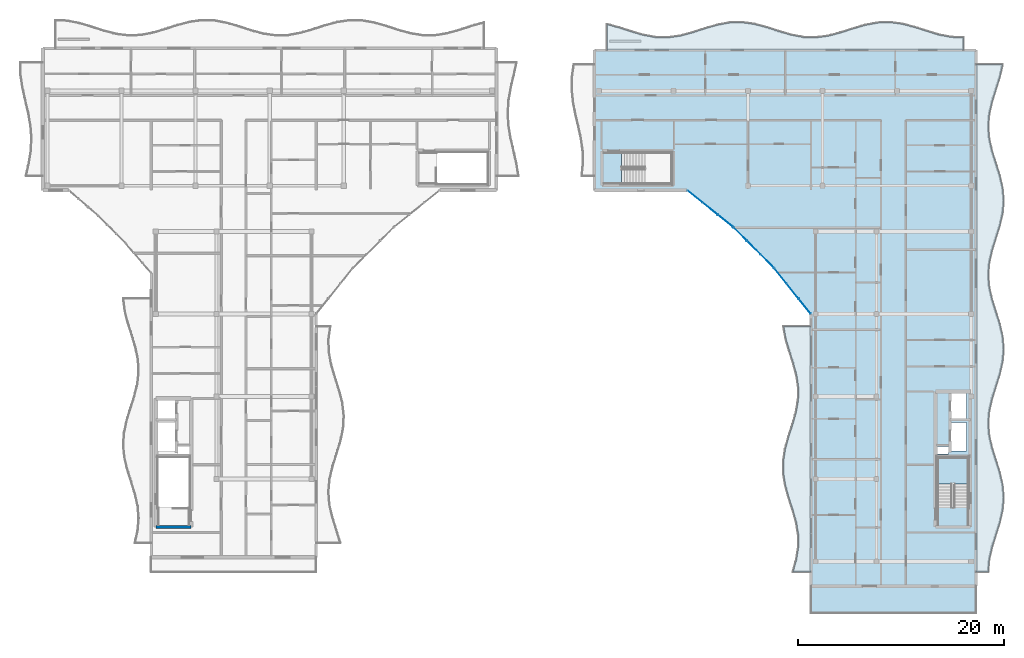
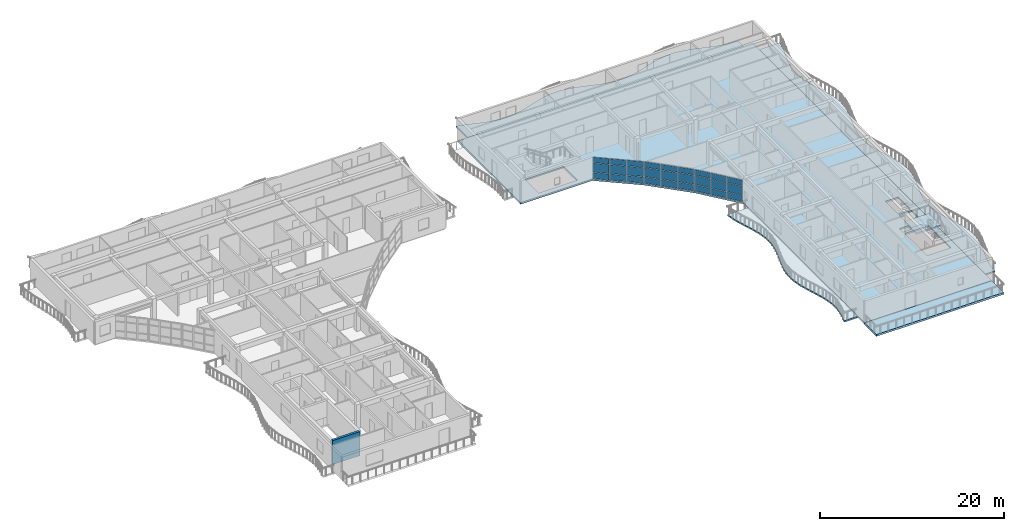
# One storey, part 14 of 30: 27 plates, 6 slabs, 1 wall, 4 elements without a shape of their own.
"""IFC4 building model written with IfcOpenShell, lengths in metres."""

from ifc_helpers import new_model, si_unit, direction, frame, frame_2d, origin, origin_2d, place, context, subcontext, project, spatial, polyline, rectangle, outline, extrude, material, layer, layer_set, type_object, element, aggregate, save


model = new_model("IFC4")

# Units and contexts
model_context = context("Model", 3, precision=1e-05, world=origin(), true_north=direction((0.0, 1.0)))
body_context = subcontext(model_context, "Body", "Model", "MODEL_VIEW")
ifc_project = project(units=[si_unit("LENGTHUNIT", "METRE"), si_unit("AREAUNIT", "SQUARE_METRE"), si_unit("VOLUMEUNIT", "CUBIC_METRE"), si_unit("PLANEANGLEUNIT", "RADIAN"), si_unit("MASSUNIT", "GRAM", prefix="KILO")], contexts=[model_context])

# Site, building, storey
site_placement = place(None, origin())
site = spatial("IfcSite", under=ifc_project, at=site_placement, CompositionType="ELEMENT")
building_placement = place(site_placement, origin())
building = spatial("IfcBuilding", under=site, at=building_placement, Name="Keldmere Railside Commons", CompositionType="ELEMENT")
storey_placement = place(building_placement, frame((0.0, 0.0, 36.159912109375)))
storey = spatial("IfcBuildingStorey", under=building, at=storey_placement, Name="L11", CompositionType="ELEMENT", Elevation=36.159912109375)

# Curtain wall, plates
ifc_material_1 = material(Name="Thermally Broken Aluminium", Category="aluminium")
ifc_layer_1 = layer(ifc_material_1, 0.159912109375, Name="Court Chord Wintergarden CW 5400x2850")
ifc_layer_set_1 = layer_set([ifc_layer_1], Name="Thermally Broken Aluminium")
curtain_wall_type_1 = type_object("IfcCurtainWallType", Name="Court Chord Wintergarden CW 5400x2850", PredefinedType="NOTDEFINED", material=ifc_layer_set_1)
curtain_wall_1_placement = place(storey_placement, origin())
curtain_wall_1 = element("IfcCurtainWall", 1, at=curtain_wall_1_placement, inside=storey, type_object=curtain_wall_type_1, Name="CW-13 CW-L11-190", PredefinedType="NOTDEFINED")
ifc_material_2 = material(Name="Low-E Insulated Double Glazing", Category="glass")
ifc_layer_2 = layer(ifc_material_2, 0.033935546875, Name="Acoustic Laminated Vision Panel 34")
ifc_layer_set_2 = layer_set([ifc_layer_2], Name="Low-E Insulated Double Glazing")
plate_type_1 = type_object("IfcPlateType", Name="Acoustic Laminated Vision Panel 34", PredefinedType="CURTAIN_PANEL", material=ifc_layer_set_2)
plate_1_placement = place(storey_placement, frame((159.678955078125, 97.048583984375, 0.06494140625), z_axis=(0.0, 0.0, 1.0), x_axis=(-0.780009172323, 0.625768080915, 0.0)))
plate_1 = element("IfcPlate", 2, at=plate_1_placement, type_object=plate_type_1, Name="CW-13 panel 1.1", PredefinedType="CURTAIN_PANEL", context=body_context, shape_type="SweptSolid", body=[
    extrude(rectangle(XDim=1.795654296875, YDim=0.033935546875, at=origin_2d()), origin(), (0.0, 0.0, 1.0), 0.802490234375),
])
plate_2_placement = place(storey_placement, frame((159.678955078125, 97.048583984375, 0.9326171875), z_axis=(0.0, 0.0, 1.0), x_axis=(-0.780009172323, 0.625768080915, 0.0)))
plate_2 = element("IfcPlate", 3, at=plate_2_placement, type_object=plate_type_1, Name="CW-13 panel 1.2", PredefinedType="CURTAIN_PANEL", context=body_context, shape_type="SweptSolid", body=[
    extrude(rectangle(XDim=1.795654296875, YDim=0.033935546875, at=origin_2d()), origin(), (0.0, 0.0, 1.0), 1.18505859375),
])
plate_3_placement = place(storey_placement, frame((159.678955078125, 97.048583984375, 2.1826171875), z_axis=(0.0, 0.0, 1.0), x_axis=(-0.780009172323, 0.625768080915, 0.0)))
plate_3 = element("IfcPlate", 4, at=plate_3_placement, type_object=plate_type_1, Name="CW-13 panel 1.3", PredefinedType="CURTAIN_PANEL", context=body_context, shape_type="SweptSolid", body=[
    extrude(rectangle(XDim=1.795654296875, YDim=0.033935546875, at=origin_2d()), origin(), (0.0, 0.0, 1.0), 0.732421875),
])
plate_4_placement = place(storey_placement, frame((158.215087890625, 98.222900390625, 0.06494140625), z_axis=(0.0, 0.0, 1.0), x_axis=(-0.780009172323, 0.625768080915, 0.0)))
plate_4 = element("IfcPlate", 5, at=plate_4_placement, type_object=plate_type_1, Name="CW-13 panel 2.1", PredefinedType="CURTAIN_PANEL", context=body_context, shape_type="SweptSolid", body=[
    extrude(rectangle(XDim=1.828125, YDim=0.033935546875, at=origin_2d()), origin(), (0.0, 0.0, 1.0), 0.802490234375),
])
plate_5_placement = place(storey_placement, frame((158.215087890625, 98.222900390625, 0.9326171875), z_axis=(0.0, 0.0, 1.0), x_axis=(-0.780009172323, 0.625768080915, 0.0)))
plate_5 = element("IfcPlate", 6, at=plate_5_placement, type_object=plate_type_1, Name="CW-13 panel 2.2", PredefinedType="CURTAIN_PANEL", context=body_context, shape_type="SweptSolid", body=[
    extrude(rectangle(XDim=1.828125, YDim=0.033935546875, at=origin_2d()), origin(), (0.0, 0.0, 1.0), 1.18505859375),
])
plate_6_placement = place(storey_placement, frame((158.215087890625, 98.222900390625, 2.1826171875), z_axis=(0.0, 0.0, 1.0), x_axis=(-0.780009172323, 0.625768080915, 0.0)))
plate_6 = element("IfcPlate", 7, at=plate_6_placement, type_object=plate_type_1, Name="CW-13 panel 2.3", PredefinedType="CURTAIN_PANEL", context=body_context, shape_type="SweptSolid", body=[
    extrude(rectangle(XDim=1.828125, YDim=0.033935546875, at=origin_2d()), origin(), (0.0, 0.0, 1.0), 0.732421875),
])
plate_7_placement = place(storey_placement, frame((156.7509765625, 99.3974609375, 0.06494140625), z_axis=(0.0, 0.0, 1.0), x_axis=(-0.780009172323, 0.625768080915, 0.0)))
plate_7 = element("IfcPlate", 8, at=plate_7_placement, type_object=plate_type_1, Name="CW-13 panel 3.1", PredefinedType="CURTAIN_PANEL", context=body_context, shape_type="SweptSolid", body=[
    extrude(rectangle(XDim=1.795654296875, YDim=0.033935546875, at=origin_2d()), origin(), (0.0, 0.0, 1.0), 0.802490234375),
])
plate_8_placement = place(storey_placement, frame((156.7509765625, 99.3974609375, 0.9326171875), z_axis=(0.0, 0.0, 1.0), x_axis=(-0.780009172323, 0.625768080915, 0.0)))
plate_8 = element("IfcPlate", 9, at=plate_8_placement, type_object=plate_type_1, Name="CW-13 panel 3.2", PredefinedType="CURTAIN_PANEL", context=body_context, shape_type="SweptSolid", body=[
    extrude(rectangle(XDim=1.795654296875, YDim=0.033935546875, at=origin_2d()), origin(), (0.0, 0.0, 1.0), 1.18505859375),
])
plate_9_placement = place(storey_placement, frame((156.7509765625, 99.3974609375, 2.1826171875), z_axis=(0.0, 0.0, 1.0), x_axis=(-0.780009172323, 0.625768080915, 0.0)))
plate_9 = element("IfcPlate", 10, at=plate_9_placement, type_object=plate_type_1, Name="CW-13 panel 3.3", PredefinedType="CURTAIN_PANEL", context=body_context, shape_type="SweptSolid", body=[
    extrude(rectangle(XDim=1.795654296875, YDim=0.033935546875, at=origin_2d()), origin(), (0.0, 0.0, 1.0), 0.732421875),
])
aggregate(curtain_wall_1, [plate_1, plate_2, plate_3, plate_4, plate_5, plate_6, plate_7, plate_8, plate_9])

ifc_layer_3 = layer(ifc_material_1, 0.159912109375, Name="Court Chord Wintergarden CW 4800x2850")
ifc_layer_set_3 = layer_set([ifc_layer_3], Name="Thermally Broken Aluminium")
curtain_wall_type_2 = type_object("IfcCurtainWallType", Name="Court Chord Wintergarden CW 4800x2850", PredefinedType="NOTDEFINED", material=ifc_layer_set_3)
curtain_wall_2_placement = place(storey_placement, origin())
curtain_wall_2 = element("IfcCurtainWall", 11, at=curtain_wall_2_placement, inside=storey, type_object=curtain_wall_type_2, Name="CW-12 CW-L11-191", PredefinedType="NOTDEFINED")
ifc_layer_4 = layer(ifc_material_2, 0.031982421875, Name="Clerestory Solar-Control Vision Panel 32")
ifc_layer_set_4 = layer_set([ifc_layer_4], Name="Low-E Insulated Double Glazing")
plate_type_2 = type_object("IfcPlateType", Name="Clerestory Solar-Control Vision Panel 32", PredefinedType="CURTAIN_PANEL", material=ifc_layer_set_4)
plate_10_placement = place(storey_placement, frame((163.76513671875, 93.11083984375, 0.06494140625), z_axis=(0.0, 0.0, 1.0), x_axis=(-0.707106781187, 0.707106781187, 0.0)))
plate_10 = element("IfcPlate", 12, at=plate_10_placement, type_object=plate_type_2, Name="CW-12 panel 1.1", PredefinedType="CURTAIN_PANEL", context=body_context, shape_type="SweptSolid", body=[
    extrude(rectangle(XDim=1.795654296875, YDim=0.031982421875, at=origin_2d()), origin(), (0.0, 0.0, 1.0), 0.802490234375),
])
plate_11_placement = place(storey_placement, frame((163.76513671875, 93.11083984375, 0.9326171875), z_axis=(0.0, 0.0, 1.0), x_axis=(-0.707106781187, 0.707106781187, 0.0)))
plate_11 = element("IfcPlate", 13, at=plate_11_placement, type_object=plate_type_2, Name="CW-12 panel 1.2", PredefinedType="CURTAIN_PANEL", context=body_context, shape_type="SweptSolid", body=[
    extrude(rectangle(XDim=1.795654296875, YDim=0.031982421875, at=origin_2d()), origin(), (0.0, 0.0, 1.0), 1.18505859375),
])
plate_12_placement = place(storey_placement, frame((163.76513671875, 93.11083984375, 2.1826171875), z_axis=(0.0, 0.0, 1.0), x_axis=(-0.707106781187, 0.707106781187, 0.0)))
plate_12 = element("IfcPlate", 14, at=plate_12_placement, type_object=plate_type_2, Name="CW-12 panel 1.3", PredefinedType="CURTAIN_PANEL", context=body_context, shape_type="SweptSolid", body=[
    extrude(rectangle(XDim=1.795654296875, YDim=0.031982421875, at=origin_2d()), origin(), (0.0, 0.0, 1.0), 0.732421875),
])
plate_13_placement = place(storey_placement, frame((162.43798828125, 94.43798828125, 0.06494140625), z_axis=(0.0, 0.0, 1.0), x_axis=(-0.707106781187, 0.707106781187, 0.0)))
plate_13 = element("IfcPlate", 15, at=plate_13_placement, type_object=plate_type_2, Name="CW-12 panel 2.1", PredefinedType="CURTAIN_PANEL", context=body_context, shape_type="SweptSolid", body=[
    extrude(rectangle(XDim=1.828125, YDim=0.031982421875, at=origin_2d()), origin(), (0.0, 0.0, 1.0), 0.802490234375),
])
plate_14_placement = place(storey_placement, frame((162.43798828125, 94.43798828125, 0.9326171875), z_axis=(0.0, 0.0, 1.0), x_axis=(-0.707106781187, 0.707106781187, 0.0)))
plate_14 = element("IfcPlate", 16, at=plate_14_placement, type_object=plate_type_2, Name="CW-12 panel 2.2", PredefinedType="CURTAIN_PANEL", context=body_context, shape_type="SweptSolid", body=[
    extrude(rectangle(XDim=1.828125, YDim=0.031982421875, at=origin_2d()), origin(), (0.0, 0.0, 1.0), 1.18505859375),
])
plate_15_placement = place(storey_placement, frame((162.43798828125, 94.43798828125, 2.1826171875), z_axis=(0.0, 0.0, 1.0), x_axis=(-0.707106781187, 0.707106781187, 0.0)))
plate_15 = element("IfcPlate", 17, at=plate_15_placement, type_object=plate_type_2, Name="CW-12 panel 2.3", PredefinedType="CURTAIN_PANEL", context=body_context, shape_type="SweptSolid", body=[
    extrude(rectangle(XDim=1.828125, YDim=0.031982421875, at=origin_2d()), origin(), (0.0, 0.0, 1.0), 0.732421875),
])
plate_16_placement = place(storey_placement, frame((161.11083984375, 95.76513671875, 0.06494140625), z_axis=(0.0, 0.0, 1.0), x_axis=(-0.707106781187, 0.707106781187, 0.0)))
plate_16 = element("IfcPlate", 18, at=plate_16_placement, type_object=plate_type_2, Name="CW-12 panel 3.1", PredefinedType="CURTAIN_PANEL", context=body_context, shape_type="SweptSolid", body=[
    extrude(rectangle(XDim=1.795654296875, YDim=0.031982421875, at=origin_2d()), origin(), (0.0, 0.0, 1.0), 0.802490234375),
])
plate_17_placement = place(storey_placement, frame((161.11083984375, 95.76513671875, 0.9326171875), z_axis=(0.0, 0.0, 1.0), x_axis=(-0.707106781187, 0.707106781187, 0.0)))
plate_17 = element("IfcPlate", 19, at=plate_17_placement, type_object=plate_type_2, Name="CW-12 panel 3.2", PredefinedType="CURTAIN_PANEL", context=body_context, shape_type="SweptSolid", body=[
    extrude(rectangle(XDim=1.795654296875, YDim=0.031982421875, at=origin_2d()), origin(), (0.0, 0.0, 1.0), 1.18505859375),
])
plate_18_placement = place(storey_placement, frame((161.11083984375, 95.76513671875, 2.1826171875), z_axis=(0.0, 0.0, 1.0), x_axis=(-0.707106781187, 0.707106781187, 0.0)))
plate_18 = element("IfcPlate", 20, at=plate_18_placement, type_object=plate_type_2, Name="CW-12 panel 3.3", PredefinedType="CURTAIN_PANEL", context=body_context, shape_type="SweptSolid", body=[
    extrude(rectangle(XDim=1.795654296875, YDim=0.031982421875, at=origin_2d()), origin(), (0.0, 0.0, 1.0), 0.732421875),
])
aggregate(curtain_wall_2, [plate_10, plate_11, plate_12, plate_13, plate_14, plate_15, plate_16, plate_17, plate_18])

# Stair, slab
ifc_material_3 = material(Name="Concrete H-30 (C30/37)", Category="concrete")
stair_type = type_object("IfcStairType", Name="Residential Core Dogleg Stair 1450", PredefinedType="HALF_TURN_STAIR", material=ifc_material_3)
stair_placement = place(storey_placement, origin())
stair = element("IfcStair", 21, at=stair_placement, inside=storey, type_object=stair_type, Name="L11 Block A Primary Escape Stair 1", PredefinedType="HALF_TURN_STAIR")
ifc_layer_5 = layer(ifc_material_3, 0.199951171875, Name="Enclosed Stair Landing Slab 200")
ifc_layer_set_5 = layer_set([ifc_layer_5], Name="Concrete H-30 (C30/37)")
slab_type_1 = type_object("IfcSlabType", Name="Enclosed Stair Landing Slab 200", PredefinedType="LANDING", material=ifc_layer_set_5)
slab_1_placement = place(storey_placement, frame((0.0, 0.0, 1.400146484375)))
slab_1 = element("IfcSlab", 22, at=slab_1_placement, type_object=slab_type_1, Name="ST-A1 landing 1", PredefinedType="LANDING", context=body_context, shape_type="SweptSolid", body=[
    extrude(outline(polyline([(183.300048828125, 71.52001953125), (183.300048828125, 74.10009765625), (180.25, 74.10009765625), (180.25, 71.52001953125), (183.300048828125, 71.52001953125)])), origin(), (0.0, 0.0, 1.0), 0.199951171875),
])
aggregate(stair, [slab_1])

# Curtain wall, plates
curtain_wall_3_placement = place(storey_placement, origin())
curtain_wall_3 = element("IfcCurtainWall", 23, at=curtain_wall_3_placement, inside=storey, type_object=curtain_wall_type_1, Name="CW-13 CW-L11-192", PredefinedType="NOTDEFINED")
ifc_layer_6 = layer(ifc_material_2, 0.028076171875, Name="Low-E Vision Glazing Panel 28")
ifc_layer_set_6 = layer_set([ifc_layer_6], Name="Low-E Insulated Double Glazing")
plate_type_3 = type_object("IfcPlateType", Name="Low-E Vision Glazing Panel 28", PredefinedType="CURTAIN_PANEL", material=ifc_layer_set_6)
plate_19_placement = place(storey_placement, frame((167.3974609375, 88.7509765625, 0.06494140625), z_axis=(0.0, 0.0, 1.0), x_axis=(-0.625768080915, 0.780009172323, 0.0)))
plate_19 = element("IfcPlate", 24, at=plate_19_placement, type_object=plate_type_3, Name="CW-13 panel 1.1", PredefinedType="CURTAIN_PANEL", context=body_context, shape_type="SweptSolid", body=[
    extrude(rectangle(XDim=1.795654296875, YDim=0.028076171875, at=origin_2d()), origin(), (0.0, 0.0, 1.0), 0.802490234375),
])
plate_20_placement = place(storey_placement, frame((167.3974609375, 88.7509765625, 0.9326171875), z_axis=(0.0, 0.0, 1.0), x_axis=(-0.625768080915, 0.780009172323, 0.0)))
plate_20 = element("IfcPlate", 25, at=plate_20_placement, type_object=plate_type_3, Name="CW-13 panel 1.2", PredefinedType="CURTAIN_PANEL", context=body_context, shape_type="SweptSolid", body=[
    extrude(rectangle(XDim=1.795654296875, YDim=0.028076171875, at=origin_2d()), origin(), (0.0, 0.0, 1.0), 1.18505859375),
])
plate_21_placement = place(storey_placement, frame((167.3974609375, 88.7509765625, 2.1826171875), z_axis=(0.0, 0.0, 1.0), x_axis=(-0.625768080915, 0.780009172323, 0.0)))
plate_21 = element("IfcPlate", 26, at=plate_21_placement, type_object=plate_type_3, Name="CW-13 panel 1.3", PredefinedType="CURTAIN_PANEL", context=body_context, shape_type="SweptSolid", body=[
    extrude(rectangle(XDim=1.795654296875, YDim=0.028076171875, at=origin_2d()), origin(), (0.0, 0.0, 1.0), 0.732421875),
])
plate_22_placement = place(storey_placement, frame((166.222900390625, 90.215087890625, 0.06494140625), z_axis=(0.0, 0.0, 1.0), x_axis=(-0.625768080915, 0.780009172323, 0.0)))
plate_22 = element("IfcPlate", 27, at=plate_22_placement, type_object=plate_type_3, Name="CW-13 panel 2.1", PredefinedType="CURTAIN_PANEL", context=body_context, shape_type="SweptSolid", body=[
    extrude(rectangle(XDim=1.828125, YDim=0.028076171875, at=origin_2d()), origin(), (0.0, 0.0, 1.0), 0.802490234375),
])
plate_23_placement = place(storey_placement, frame((166.222900390625, 90.215087890625, 0.9326171875), z_axis=(0.0, 0.0, 1.0), x_axis=(-0.625768080915, 0.780009172323, 0.0)))
plate_23 = element("IfcPlate", 28, at=plate_23_placement, type_object=plate_type_3, Name="CW-13 panel 2.2", PredefinedType="CURTAIN_PANEL", context=body_context, shape_type="SweptSolid", body=[
    extrude(rectangle(XDim=1.828125, YDim=0.028076171875, at=origin_2d()), origin(), (0.0, 0.0, 1.0), 1.18505859375),
])
plate_24_placement = place(storey_placement, frame((166.222900390625, 90.215087890625, 2.1826171875), z_axis=(0.0, 0.0, 1.0), x_axis=(-0.625768080915, 0.780009172323, 0.0)))
plate_24 = element("IfcPlate", 29, at=plate_24_placement, type_object=plate_type_3, Name="CW-13 panel 2.3", PredefinedType="CURTAIN_PANEL", context=body_context, shape_type="SweptSolid", body=[
    extrude(rectangle(XDim=1.828125, YDim=0.028076171875, at=origin_2d()), origin(), (0.0, 0.0, 1.0), 0.732421875),
])
plate_25_placement = place(storey_placement, frame((165.048583984375, 91.678955078125, 0.06494140625), z_axis=(0.0, 0.0, 1.0), x_axis=(-0.625768080915, 0.780009172323, 0.0)))
plate_25 = element("IfcPlate", 30, at=plate_25_placement, type_object=plate_type_3, Name="CW-13 panel 3.1", PredefinedType="CURTAIN_PANEL", context=body_context, shape_type="SweptSolid", body=[
    extrude(rectangle(XDim=1.795654296875, YDim=0.028076171875, at=origin_2d()), origin(), (0.0, 0.0, 1.0), 0.802490234375),
])
plate_26_placement = place(storey_placement, frame((165.048583984375, 91.678955078125, 0.9326171875), z_axis=(0.0, 0.0, 1.0), x_axis=(-0.625768080915, 0.780009172323, 0.0)))
plate_26 = element("IfcPlate", 31, at=plate_26_placement, type_object=plate_type_3, Name="CW-13 panel 3.2", PredefinedType="CURTAIN_PANEL", context=body_context, shape_type="SweptSolid", body=[
    extrude(rectangle(XDim=1.795654296875, YDim=0.028076171875, at=origin_2d()), origin(), (0.0, 0.0, 1.0), 1.18505859375),
])
plate_27_placement = place(storey_placement, frame((165.048583984375, 91.678955078125, 2.1826171875), z_axis=(0.0, 0.0, 1.0), x_axis=(-0.625768080915, 0.780009172323, 0.0)))
plate_27 = element("IfcPlate", 32, at=plate_27_placement, type_object=plate_type_3, Name="CW-13 panel 3.3", PredefinedType="CURTAIN_PANEL", context=body_context, shape_type="SweptSolid", body=[
    extrude(rectangle(XDim=1.795654296875, YDim=0.028076171875, at=origin_2d()), origin(), (0.0, 0.0, 1.0), 0.732421875),
])
aggregate(curtain_wall_3, [plate_19, plate_20, plate_21, plate_22, plate_23, plate_24, plate_25, plate_26, plate_27])

# Slabs
ifc_material_4 = material(Name="Concrete H-35 (C35/45)", Category="concrete")
ifc_layer_7 = layer(ifc_material_4, 0.25, Name="Planted Terrace Roof Slab 250")
ifc_layer_set_7 = layer_set([ifc_layer_7], Name="Concrete H-35 (C35/45)")
slab_type_2 = type_object("IfcSlabType", Name="Planted Terrace Roof Slab 250", PredefinedType="ROOF", material=ifc_layer_set_7)
slab_2_placement = place(storey_placement, frame((0.0, 0.0, -0.25)))
element("IfcSlab", 33, at=slab_2_placement, inside=storey, type_object=slab_type_2, Name="RT-1 TERRA-L11-067", PredefinedType="ROOF", context=body_context, shape_type="SweptSolid", body=[
    extrude(outline(polyline([(184.0, 59.0), (184.0, 61.590087890625), (168.0, 61.590087890625), (168.0, 59.0), (184.0, 59.0)])), origin(), (0.0, 0.0, 1.0), 0.25),
])
ifc_layer_8 = layer(ifc_material_3, 0.219970703125, Name="Residential Flat Slab 220")
ifc_layer_set_8 = layer_set([ifc_layer_8], Name="Concrete H-30 (C30/37)")
slab_type_3 = type_object("IfcSlabType", Name="Residential Flat Slab 220", PredefinedType="FLOOR", material=ifc_layer_set_8)
slab_3_placement = place(storey_placement, frame((0.0, 0.0, -0.219970703125)))
element("IfcSlab", 34, at=slab_3_placement, inside=storey, type_object=slab_type_3, Name="FS-2 BLKA-L11-066", PredefinedType="FLOOR", context=body_context, shape_type="SweptSolid", body=[
    extrude(outline(polyline([(168.0, 61.60009765625), (184.0, 61.60009765625), (184.0, 113.60009765625), (147.0, 113.60009765625), (147.0, 100.0), (156.0, 100.0), (160.429931640625, 96.446044921875), (164.446044921875, 92.429931640625), (168.0, 88.0), (168.0, 61.60009765625)]), holes=[polyline([(183.27490234375, 74.074951171875), (183.27490234375, 69.22509765625), (180.27490234375, 69.22509765625), (180.27490234375, 74.074951171875), (183.27490234375, 74.074951171875)]), polyline([(181.320068359375, 74.419921875), (180.219970703125, 74.419921875), (180.219970703125, 75.159912109375), (181.320068359375, 75.159912109375), (181.320068359375, 74.419921875)]), polyline([(183.10009765625, 77.5), (183.10009765625, 74.699951171875), (181.5, 74.699951171875), (181.5, 77.5), (183.10009765625, 77.5)]), polyline([(183.10009765625, 80.39990234375), (183.10009765625, 77.75), (181.5, 77.75), (181.5, 80.39990234375), (183.10009765625, 80.39990234375)]), polyline([(149.625, 100.625), (149.625, 103.625), (154.47509765625, 103.625), (154.47509765625, 100.625), (149.625, 100.625)])]), origin(), (0.0, 0.0, 1.0), 0.219970703125),
])
ifc_material_5 = material(Name="White Precast Concrete H-35 (C35/45)", Category="concrete")
ifc_layer_9 = layer(ifc_material_5, 0.179931640625, Name="Sinusoidal Wave Balcony Slab 180")
ifc_layer_set_9 = layer_set([ifc_layer_9], Name="White Precast Concrete H-35 (C35/45)")
slab_type_4 = type_object("IfcSlabType", Name="Sinusoidal Wave Balcony Slab 180", PredefinedType="FLOOR", material=ifc_layer_set_9)
slab_4_placement = place(storey_placement, frame((0.0, 0.0, -0.179931640625)))
element("IfcSlab", 35, at=slab_4_placement, inside=storey, type_object=slab_type_4, Name="WB-1 A L11 N Wave Balcony", PredefinedType="FLOOR", context=body_context, shape_type="SweptSolid", body=[
    extrude(outline(polyline([(148.199951171875, 113.60009765625), (149.39306640625, 113.60009765625), (150.586181640625, 113.60009765625), (151.779296875, 113.60009765625), (152.972412109375, 113.60009765625), (154.16552734375, 113.60009765625), (155.358642578125, 113.60009765625), (156.5517578125, 113.60009765625), (157.744873046875, 113.60009765625), (158.93798828125, 113.60009765625), (160.131103515625, 113.60009765625), (161.32421875, 113.60009765625), (162.51708984375, 113.60009765625), (163.710205078125, 113.60009765625), (164.9033203125, 113.60009765625), (166.0966796875, 113.60009765625), (167.289794921875, 113.60009765625), (168.48291015625, 113.60009765625), (169.67578125, 113.60009765625), (170.868896484375, 113.60009765625), (172.06201171875, 113.60009765625), (173.255126953125, 113.60009765625), (174.4482421875, 113.60009765625), (175.641357421875, 113.60009765625), (176.83447265625, 113.60009765625), (178.027587890625, 113.60009765625), (179.220703125, 113.60009765625), (180.413818359375, 113.60009765625), (181.60693359375, 113.60009765625), (182.800048828125, 113.60009765625), (182.800048828125, 114.806884765625), (181.60693359375, 114.85498046875), (180.413818359375, 115.08740234375), (179.220703125, 115.442138671875), (178.027587890625, 115.82568359375), (176.83447265625, 116.135986328125), (175.641357421875, 116.291259765625), (174.4482421875, 116.25), (173.255126953125, 116.023193359375), (172.06201171875, 115.671142578125), (170.868896484375, 115.287109375), (169.67578125, 114.972412109375), (168.48291015625, 114.81103515625), (167.289794921875, 114.84521484375), (166.0966796875, 115.06640625), (164.9033203125, 115.41552734375), (163.710205078125, 115.80029296875), (162.51708984375, 116.118896484375), (161.32421875, 116.28662109375), (160.131103515625, 116.25927734375), (158.93798828125, 116.0439453125), (157.744873046875, 115.69775390625), (156.5517578125, 115.3125), (155.358642578125, 114.989990234375), (154.16552734375, 114.816162109375), (152.972412109375, 114.83642578125), (151.779296875, 115.0458984375), (150.586181640625, 115.388916015625), (149.39306640625, 115.774658203125), (148.199951171875, 116.100830078125), (148.199951171875, 113.60009765625)])), origin(), (0.0, 0.0, 1.0), 0.179931640625),
])
slab_5_placement = place(storey_placement, frame((0.0, 0.0, -0.179931640625)))
element("IfcSlab", 36, at=slab_5_placement, inside=storey, type_object=slab_type_4, Name="WB-1 A L11 CW Wave Balcony", PredefinedType="FLOOR", context=body_context, shape_type="SweptSolid", body=[
    extrude(outline(polyline([(168.0, 63.0), (168.0, 64.18994140625), (168.0, 65.3798828125), (168.0, 66.570068359375), (168.0, 67.760009765625), (168.0, 68.949951171875), (168.0, 70.139892578125), (168.0, 71.330078125), (168.0, 72.52001953125), (168.0, 73.7099609375), (168.0, 74.89990234375), (168.0, 76.090087890625), (168.0, 77.280029296875), (168.0, 78.469970703125), (168.0, 79.659912109375), (168.0, 80.85009765625), (168.0, 82.0400390625), (168.0, 83.22998046875), (168.0, 84.419921875), (168.0, 85.610107421875), (168.0, 86.800048828125), (165.341796875, 86.800048828125), (165.557861328125, 85.610107421875), (165.9033203125, 84.419921875), (166.28759765625, 83.22998046875), (166.609375, 82.0400390625), (166.78369140625, 80.85009765625), (166.764404296875, 79.659912109375), (166.556884765625, 78.469970703125), (166.2158203125, 77.280029296875), (165.8310546875, 76.090087890625), (165.50390625, 74.89990234375), (165.32080078125, 73.7099609375), (165.329833984375, 72.52001953125), (165.52880859375, 71.330078125), (165.864990234375, 70.139892578125), (166.250244140625, 68.949951171875), (166.58251953125, 67.760009765625), (166.7744140625, 66.570068359375), (166.775390625, 65.3798828125), (166.585205078125, 64.18994140625), (166.25390625, 63.0), (168.0, 63.0)])), origin(), (0.0, 0.0, 1.0), 0.179931640625),
])
slab_6_placement = place(storey_placement, frame((0.0, 0.0, -0.179931640625)))
element("IfcSlab", 37, at=slab_6_placement, inside=storey, type_object=slab_type_4, Name="WB-1 A L11 CE Wave Balcony", PredefinedType="FLOOR", context=body_context, shape_type="SweptSolid", body=[
    extrude(outline(polyline([(185.199951171875, 63.0), (185.302001953125, 64.199951171875), (185.577880859375, 65.39990234375), (185.953369140625, 66.60009765625), (186.327880859375, 67.800048828125), (186.601318359375, 69.0), (186.699951171875, 70.199951171875), (186.597900390625, 71.39990234375), (186.322021484375, 72.60009765625), (185.94677734375, 73.800048828125), (185.572021484375, 75.0), (185.298828125, 76.199951171875), (185.199951171875, 77.39990234375), (185.302001953125, 78.60009765625), (185.577880859375, 79.800048828125), (185.953369140625, 81.0), (186.327880859375, 82.199951171875), (186.601318359375, 83.39990234375), (186.699951171875, 84.60009765625), (186.597900390625, 85.800048828125), (186.322021484375, 87.0), (185.94677734375, 88.199951171875), (185.572021484375, 89.39990234375), (185.298828125, 90.60009765625), (185.199951171875, 91.800048828125), (185.302001953125, 93.0), (185.577880859375, 94.199951171875), (185.953369140625, 95.39990234375), (186.327880859375, 96.60009765625), (186.601318359375, 97.800048828125), (186.699951171875, 99.0), (186.597900390625, 100.199951171875), (186.322021484375, 101.39990234375), (185.94677734375, 102.60009765625), (185.572021484375, 103.800048828125), (185.298828125, 105.0), (185.199951171875, 106.199951171875), (185.302001953125, 107.39990234375), (185.577880859375, 108.60009765625), (185.953369140625, 109.800048828125), (186.327880859375, 111.0), (186.601318359375, 112.199951171875), (184.0, 112.199951171875), (184.0, 111.0), (184.0, 109.800048828125), (184.0, 108.60009765625), (184.0, 107.39990234375), (184.0, 106.199951171875), (184.0, 105.0), (184.0, 103.800048828125), (184.0, 102.60009765625), (184.0, 101.39990234375), (184.0, 100.199951171875), (184.0, 99.0), (184.0, 97.800048828125), (184.0, 96.60009765625), (184.0, 95.39990234375), (184.0, 94.199951171875), (184.0, 93.0), (184.0, 91.800048828125), (184.0, 90.60009765625), (184.0, 89.39990234375), (184.0, 88.199951171875), (184.0, 87.0), (184.0, 85.800048828125), (184.0, 84.60009765625), (184.0, 83.39990234375), (184.0, 82.199951171875), (184.0, 81.0), (184.0, 79.800048828125), (184.0, 78.60009765625), (184.0, 77.39990234375), (184.0, 76.199951171875), (184.0, 75.0), (184.0, 73.800048828125), (184.0, 72.60009765625), (184.0, 71.39990234375), (184.0, 70.199951171875), (184.0, 69.0), (184.0, 67.800048828125), (184.0, 66.60009765625), (184.0, 65.39990234375), (184.0, 64.199951171875), (184.0, 63.0), (185.199951171875, 63.0)])), origin(), (0.0, 0.0, 1.0), 0.179931640625),
])

# Wall
ifc_layer_10 = layer(ifc_material_4, 0.300048828125, Name="Interior Shear Wall 300")
ifc_layer_set_10 = layer_set([ifc_layer_10], Name="Concrete H-35 (C35/45)")
wall_type = type_object("IfcWallType", Name="Interior Shear Wall 300", PredefinedType="SHEAR", material=ifc_layer_set_10)
wall_placement = place(storey_placement, frame((107.8701171875, 67.35009765625, 0.0), z_axis=(0.0, 0.0, 1.0), x_axis=(-1.0, 0.0, 0.0)))
element("IfcWall", 38, at=wall_placement, inside=storey, type_object=wall_type, Name="ISW-2 COREBS-L11-0567", PredefinedType="SHEAR", context=body_context, shape_type="SweptSolid", body=[
    extrude(rectangle(XDim=3.41015625, YDim=0.300048828125, at=frame_2d((1.705078125, 0.0))), origin(), (0.0, 0.0, 1.0), 3.2001953125),
])

save(model, "model.ifc")
